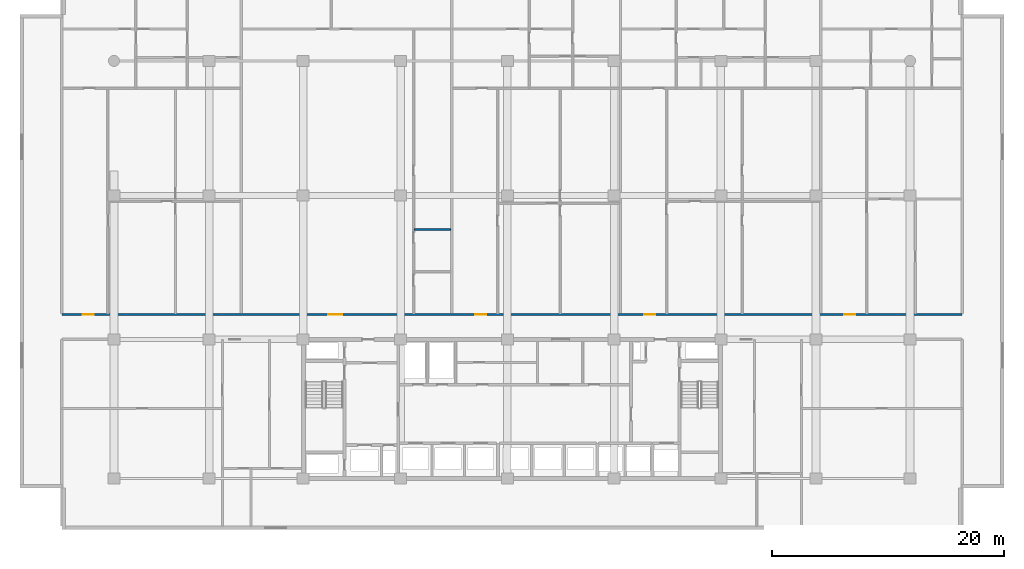
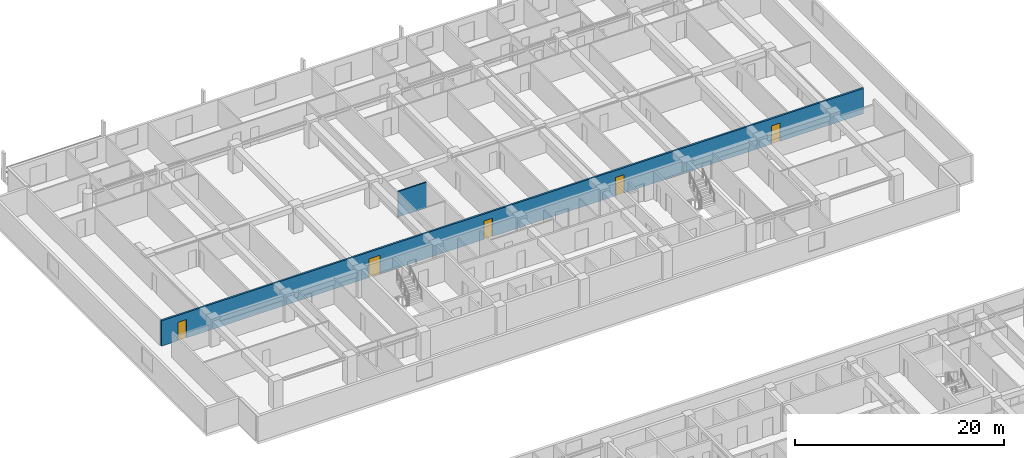
# One storey, part 13 of 24: 5 doors, 2 walls, 5 openings.
"""IFC4 building model written with IfcOpenShell, lengths in metres."""

from ifc_helpers import new_model, si_unit, direction, frame, frame_2d, origin, place, context, subcontext, project, spatial, rectangle, extrude, material, layer, layer_set, type_object, element, fill, save


model = new_model("IFC4")

# Units and contexts
model_context = context("Model", 3, precision=1e-05, world=origin(), true_north=direction((0.0, 1.0)))
body_context = subcontext(model_context, "Body", "Model", "MODEL_VIEW")
ifc_project = project(units=[si_unit("LENGTHUNIT", "METRE"), si_unit("AREAUNIT", "SQUARE_METRE"), si_unit("VOLUMEUNIT", "CUBIC_METRE"), si_unit("PLANEANGLEUNIT", "RADIAN"), si_unit("MASSUNIT", "GRAM", prefix="KILO")], contexts=[model_context])

# Site, building, storey
site_placement = place(None, origin())
site = spatial("IfcSite", under=ifc_project, at=site_placement, CompositionType="ELEMENT")
building_placement = place(site_placement, origin())
building = spatial("IfcBuilding", under=site, at=building_placement, Name="Korimba Cascade Residences", CompositionType="ELEMENT")
storey_placement = place(building_placement, frame((0.0, 0.0, 43.5)))
storey = spatial("IfcBuildingStorey", under=building, at=storey_placement, Name="L11", CompositionType="ELEMENT", Elevation=43.5)

# Wall, openings, doors
ifc_material_1 = material(Name="Precast concrete C40/50", Category="concrete")
ifc_layer_1 = layer(ifc_material_1, 0.199951171875)
ifc_layer_set_1 = layer_set([ifc_layer_1], Name="Precast concrete C40/50")
wall_type_1 = type_object("IfcWallType", Name="WAL-IT-200", PredefinedType="PARTITIONING", material=ifc_layer_set_1)
wall_1_placement = place(storey_placement, frame((55.300048828125, 69.35009765625, 0.0), z_axis=(0.0, 0.0, 1.0), x_axis=(1.0, 0.0, 0.0)))
wall_1 = element("IfcWall", 1, at=wall_1_placement, inside=storey, type_object=wall_type_1, Name="L11 Partition Wall WAL-L11-T1-CORN", PredefinedType="PARTITIONING", context=body_context, shape_type="SweptSolid", body=[
    extrude(rectangle(XDim=77.599853515625, YDim=0.199951171875, at=frame_2d((38.7998046875, 0.0))), origin(), (0.0, 0.0, 1.0), 2.969970703125),
])
opening_1_placement = place(wall_1_placement, frame((1.81005859375, 0.0, 0.0)))
opening_1 = element("IfcOpeningElement", 2, at=opening_1_placement, cuts=wall_1, Name="Opening D-UN1", PredefinedType="OPENING", context=body_context, shape_type="SweptSolid", body=[
    extrude(rectangle(XDim=0.949951171875, YDim=2.14990234375, at=frame_2d((0.47509765625, 1.074951171875))), frame((0.0, 0.10986328125, 0.0), z_axis=(0.0, -1.0, 0.0), x_axis=(1.0, 0.0, 0.0)), (0.0, 0.0, 1.0), 0.219970703125),
])
opening_2_placement = place(wall_1_placement, frame((22.94970703125, 0.0, 0.0)))
opening_2 = element("IfcOpeningElement", 3, at=opening_2_placement, cuts=wall_1, Name="Opening D-AM1", PredefinedType="OPENING", context=body_context, shape_type="SweptSolid", body=[
    extrude(rectangle(XDim=1.219970703125, YDim=2.179931640625, at=frame_2d((0.60986328125, 1.08984375))), frame((0.0, 0.10986328125, 0.0), z_axis=(0.0, -1.0, 0.0), x_axis=(1.0, 0.0, 0.0)), (0.0, 0.0, 1.0), 0.219970703125),
])
opening_3_placement = place(wall_1_placement, frame((35.639404296875, 0.0, 0.0)))
opening_3 = element("IfcOpeningElement", 4, at=opening_3_placement, cuts=wall_1, Name="Opening D-UN1", PredefinedType="OPENING", context=body_context, shape_type="SweptSolid", body=[
    extrude(rectangle(XDim=0.949951171875, YDim=2.14990234375, at=frame_2d((0.47509765625, 1.074951171875))), frame((0.0, 0.10986328125, 0.0), z_axis=(0.0, -1.0, 0.0), x_axis=(1.0, 0.0, 0.0)), (0.0, 0.0, 1.0), 0.219970703125),
])
opening_4_placement = place(wall_1_placement, frame((50.202392578125, 0.0, 0.0)))
opening_4 = element("IfcOpeningElement", 5, at=opening_4_placement, cuts=wall_1, Name="Opening D-UN1", PredefinedType="OPENING", context=body_context, shape_type="SweptSolid", body=[
    extrude(rectangle(XDim=0.949951171875, YDim=2.14990234375, at=frame_2d((0.47509765625, 1.074951171875))), frame((0.0, 0.10986328125, 0.0), z_axis=(0.0, -1.0, 0.0), x_axis=(1.0, 0.0, 0.0)), (0.0, 0.0, 1.0), 0.219970703125),
])
opening_5_placement = place(wall_1_placement, frame((67.44970703125, 0.0, 0.0)))
opening_5 = element("IfcOpeningElement", 6, at=opening_5_placement, cuts=wall_1, Name="Opening D-UN1", PredefinedType="OPENING", context=body_context, shape_type="SweptSolid", body=[
    extrude(rectangle(XDim=0.949951171875, YDim=2.14990234375, at=frame_2d((0.47509765625, 1.074951171875))), frame((0.0, 0.10986328125, 0.0), z_axis=(0.0, -1.0, 0.0), x_axis=(1.0, 0.0, 0.0)), (0.0, 0.0, 1.0), 0.219970703125),
])
ifc_material_2 = material(Name="Fire-Rated Glazed Timber Suite Door", Category="wood")
door_type_1 = type_object("IfcDoorType", Name="DR-FD60-1200", OperationType="NOTDEFINED", PredefinedType="DOOR", material=ifc_material_2)
door_1_placement = place(opening_2_placement, origin())
door_1 = element("IfcDoor", 7, at=door_1_placement, inside=storey, type_object=door_type_1, Name="L11-T1-U02 Resident Conference Room Door", OperationType="SINGLE_SWING_LEFT", OverallHeight=2.179931640625, OverallWidth=1.219970703125, PredefinedType="DOOR", context=body_context, shape_type="SweptSolid", body=[
    extrude(rectangle(XDim=1.219970703125, YDim=2.179931640625, at=frame_2d((0.60986328125, 1.08984375))), frame((0.0, 0.02490234375, 0.0), z_axis=(0.0, -1.0, 0.0), x_axis=(1.0, 0.0, 0.0)), (0.0, 0.0, 1.0), 0.050048828125),
])
fill(opening_2, door_1)
ifc_material_3 = material(Name="Fire-Rated Hardwood Apartment Entrance Door", Category="wood")
door_type_2 = type_object("IfcDoorType", Name="DR-FD60-950", OperationType="NOTDEFINED", PredefinedType="DOOR", material=ifc_material_3)
door_2_placement = place(opening_1_placement, origin())
door_2 = element("IfcDoor", 8, at=door_2_placement, inside=storey, type_object=door_type_2, Name="Unit L11-T1-U01 Entrance Door", OperationType="SINGLE_SWING_RIGHT", OverallHeight=2.14990234375, OverallWidth=0.949951171875, PredefinedType="DOOR", context=body_context, shape_type="SweptSolid", body=[
    extrude(rectangle(XDim=0.949951171875, YDim=2.14990234375, at=frame_2d((0.47509765625, 1.074951171875))), frame((0.0, 0.02490234375, 0.0), z_axis=(0.0, -1.0, 0.0), x_axis=(1.0, 0.0, 0.0)), (0.0, 0.0, 1.0), 0.050048828125),
])
fill(opening_1, door_2)
door_3_placement = place(opening_3_placement, origin())
door_3 = element("IfcDoor", 9, at=door_3_placement, inside=storey, type_object=door_type_2, Name="Unit L11-T1-U03 Entrance Door", OperationType="SINGLE_SWING_RIGHT", OverallHeight=2.14990234375, OverallWidth=0.949951171875, PredefinedType="DOOR", context=body_context, shape_type="SweptSolid", body=[
    extrude(rectangle(XDim=0.949951171875, YDim=2.14990234375, at=frame_2d((0.47509765625, 1.074951171875))), frame((0.0, 0.02490234375, 0.0), z_axis=(0.0, -1.0, 0.0), x_axis=(1.0, 0.0, 0.0)), (0.0, 0.0, 1.0), 0.050048828125),
])
fill(opening_3, door_3)
door_4_placement = place(opening_4_placement, origin())
door_4 = element("IfcDoor", 10, at=door_4_placement, inside=storey, type_object=door_type_2, Name="Unit L11-T1-U04 Entrance Door", OperationType="SINGLE_SWING_LEFT", OverallHeight=2.14990234375, OverallWidth=0.949951171875, PredefinedType="DOOR", context=body_context, shape_type="SweptSolid", body=[
    extrude(rectangle(XDim=0.949951171875, YDim=2.14990234375, at=frame_2d((0.47509765625, 1.074951171875))), frame((0.0, 0.02490234375, 0.0), z_axis=(0.0, -1.0, 0.0), x_axis=(1.0, 0.0, 0.0)), (0.0, 0.0, 1.0), 0.050048828125),
])
fill(opening_4, door_4)
door_5_placement = place(opening_5_placement, origin())
door_5 = element("IfcDoor", 11, at=door_5_placement, inside=storey, type_object=door_type_2, Name="Unit L11-T1-U05 Entrance Door", OperationType="SINGLE_SWING_RIGHT", OverallHeight=2.14990234375, OverallWidth=0.949951171875, PredefinedType="DOOR", context=body_context, shape_type="SweptSolid", body=[
    extrude(rectangle(XDim=0.949951171875, YDim=2.14990234375, at=frame_2d((0.47509765625, 1.074951171875))), frame((0.0, 0.02490234375, 0.0), z_axis=(0.0, -1.0, 0.0), x_axis=(1.0, 0.0, 0.0)), (0.0, 0.0, 1.0), 0.050048828125),
])
fill(opening_5, door_5)

# Wall
ifc_material_4 = material(Name="Insulated Acoustic Stud Partition", Category="gypsum")
ifc_layer_2 = layer(ifc_material_4, 0.14990234375)
ifc_layer_set_2 = layer_set([ifc_layer_2], Name="Insulated Acoustic Stud Partition")
wall_type_2 = type_object("IfcWallType", Name="WAL-PART-150", PredefinedType="PARTITIONING", material=ifc_layer_set_2)
wall_2_placement = place(storey_placement, frame((85.684326171875, 76.669921875, 0.0), z_axis=(0.0, 0.0, 1.0), x_axis=(1.0, 0.0, 0.0)))
element("IfcWall", 12, at=wall_2_placement, inside=storey, type_object=wall_type_2, Name="L11 Partition Wall WAL-L11-T1-U02-WCH2", PredefinedType="PARTITIONING", context=body_context, shape_type="SweptSolid", body=[
    extrude(rectangle(XDim=3.1298828125, YDim=0.14990234375, at=frame_2d((1.56494140625, 0.0))), origin(), (0.0, 0.0, 1.0), 2.969970703125),
])

save(model, "model.ifc")
